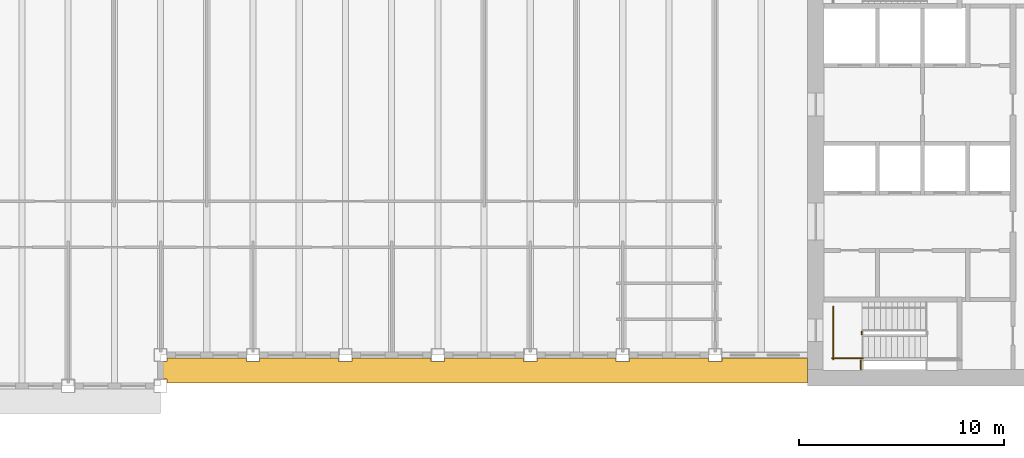
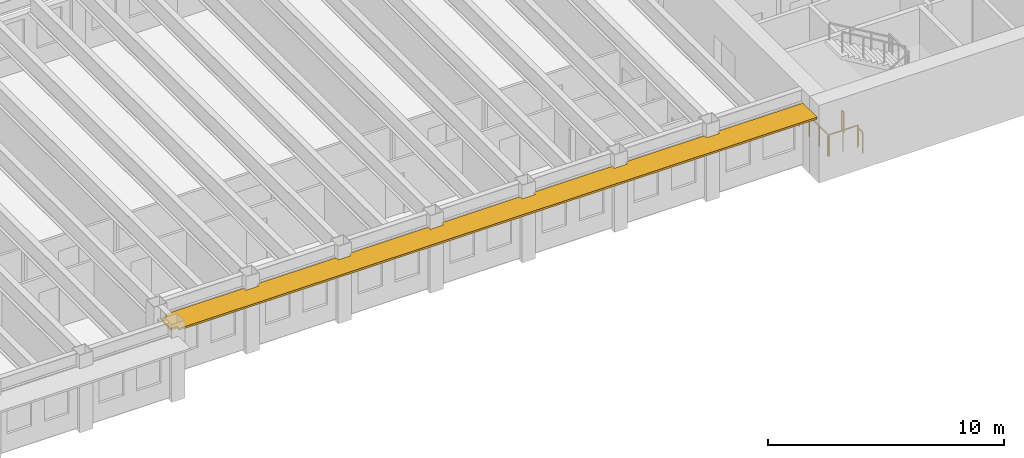
# One storey, part 9 of 12: 4 railings, 1 shading device.
"""IFC4 building model written with IfcOpenShell, lengths in metres."""

from ifc_helpers import new_model, si_unit, direction, frame, origin, origin_2d, place, context, subcontext, project, spatial, polyline, rectangle, outline, extrude, material, layer, layer_set, type_object, element, save


model = new_model("IFC4")

# Units and contexts
model_context = context("Model", 3, precision=1e-05, world=origin(), true_north=direction((0.0, 1.0)))
body_context = subcontext(model_context, "Body", "Model", "MODEL_VIEW")
ifc_project = project(units=[si_unit("LENGTHUNIT", "METRE"), si_unit("AREAUNIT", "SQUARE_METRE"), si_unit("VOLUMEUNIT", "CUBIC_METRE"), si_unit("PLANEANGLEUNIT", "RADIAN"), si_unit("MASSUNIT", "GRAM", prefix="KILO")], contexts=[model_context])

# Site, building, storey
site_placement = place(None, origin())
site = spatial("IfcSite", under=ifc_project, at=site_placement, CompositionType="ELEMENT")
building_placement = place(site_placement, origin())
building = spatial("IfcBuilding", under=site, at=building_placement, Name="Sennacour Bend Tower", CompositionType="ELEMENT")
storey_placement = place(building_placement, frame((0.0, 0.0, 269.0)))
storey = spatial("IfcBuildingStorey", under=building, at=storey_placement, Name="L62", CompositionType="ELEMENT", Elevation=269.0)

# Railings
ifc_material_1 = material(Name="Stainless steel", Category="steel")
railing_type = type_object("IfcRailingType", Name="RL-GUARD-1100", PredefinedType="GUARDRAIL", material=ifc_material_1)
railing_1_placement = place(storey_placement, frame((56.64990234375, 2.5, 0.0)))
element("IfcRailing", 1, at=railing_1_placement, inside=storey, type_object=railing_type, Name="L62 SA1 stair guard 5", PredefinedType="GUARDRAIL", context=body_context, shape_type="SweptSolid", body=[
    extrude(rectangle(XDim=0.048095703125, YDim=0.048095703125, at=origin_2d()), frame((0.0, 0.0, 1.076171875), z_axis=(0.0, 1.0, 0.0), x_axis=(-1.0, 0.0, 0.0)), (0.0, 0.0, 1.0), 0.14990234375),
    extrude(rectangle(XDim=0.0419921875, YDim=0.0419921875, at=origin_2d()), origin(), (0.0, 0.0, 1.0), 1.052001953125),
    extrude(rectangle(XDim=0.0419921875, YDim=0.0419921875, at=origin_2d()), frame((0.0, 0.14990234375, 0.0)), (0.0, 0.0, 1.0), 1.052001953125),
])
railing_2_placement = place(storey_placement, frame((55.199951171875, 1.35009765625, 0.0)))
element("IfcRailing", 2, at=railing_2_placement, inside=storey, type_object=railing_type, Name="L62 SA1 stair guard 6", PredefinedType="GUARDRAIL", context=body_context, shape_type="SweptSolid", body=[
    extrude(rectangle(XDim=0.048095703125, YDim=0.048095703125, at=origin_2d()), frame((0.0, 0.0, 1.076171875), z_axis=(1.0, 0.0, 0.0), x_axis=(0.0, 1.0, 0.0)), (0.0, 0.0, 1.0), 1.5),
    extrude(rectangle(XDim=0.0419921875, YDim=0.0419921875, at=origin_2d()), origin(), (0.0, 0.0, 1.0), 1.052001953125),
    extrude(rectangle(XDim=0.0419921875, YDim=0.0419921875, at=origin_2d()), frame((0.75, 0.0, 0.0)), (0.0, 0.0, 1.0), 1.052001953125),
    extrude(rectangle(XDim=0.0419921875, YDim=0.0419921875, at=origin_2d()), frame((1.5, 0.0, 0.0)), (0.0, 0.0, 1.0), 1.052001953125),
])
railing_3_placement = place(storey_placement, frame((55.25, 1.300048828125, 0.0)))
element("IfcRailing", 3, at=railing_3_placement, inside=storey, type_object=railing_type, Name="L62 SA1 stair guard 7", PredefinedType="GUARDRAIL", context=body_context, shape_type="SweptSolid", body=[
    extrude(rectangle(XDim=0.048095703125, YDim=0.048095703125, at=origin_2d()), frame((0.0, 0.0, 1.076171875), z_axis=(0.0, 1.0, 0.0), x_axis=(-1.0, 0.0, 0.0)), (0.0, 0.0, 1.0), 2.550048828125),
    extrude(rectangle(XDim=0.0419921875, YDim=0.0419921875, at=origin_2d()), origin(), (0.0, 0.0, 1.0), 1.052001953125),
    extrude(rectangle(XDim=0.0419921875, YDim=0.0419921875, at=origin_2d()), frame((0.0, 0.85009765625, 0.0)), (0.0, 0.0, 1.0), 1.052001953125),
    extrude(rectangle(XDim=0.0419921875, YDim=0.0419921875, at=origin_2d()), frame((0.0, 1.699951171875, 0.0)), (0.0, 0.0, 1.0), 1.052001953125),
    extrude(rectangle(XDim=0.0419921875, YDim=0.0419921875, at=origin_2d()), frame((0.0, 2.550048828125, 0.0)), (0.0, 0.0, 1.0), 1.052001953125),
])
railing_4_placement = place(storey_placement, frame((56.60009765625, 1.25, 0.0)))
element("IfcRailing", 4, at=railing_4_placement, inside=storey, type_object=railing_type, Name="L62 SA1 landing edge guard 149", PredefinedType="GUARDRAIL", context=body_context, shape_type="SweptSolid", body=[
    extrude(rectangle(XDim=0.048095703125, YDim=0.048095703125, at=origin_2d()), frame((0.0, 0.0, 1.076171875), z_axis=(0.0, -1.0, 0.0), x_axis=(1.0, 0.0, 0.0)), (0.0, 0.0, 1.0), 0.449951171875),
    extrude(rectangle(XDim=0.0419921875, YDim=0.0419921875, at=origin_2d()), origin(), (0.0, 0.0, 1.0), 1.052001953125),
    extrude(rectangle(XDim=0.0419921875, YDim=0.0419921875, at=origin_2d()), frame((0.0, -0.449951171875, 0.0)), (0.0, 0.0, 1.0), 1.052001953125),
])

# Shading device
ifc_material_2 = material(Name="Bronze anodised aluminium", Category="aluminium")
ifc_layer = layer(ifc_material_2, 0.10009765625, Name="Bronze anodised aluminium", Category="aluminium")
ifc_layer_set = layer_set([ifc_layer], Name="Bronze anodised aluminium")
shading_device_type = type_object("IfcShadingDeviceType", Name="SUNSHADE BAND STRAIGHT", PredefinedType="USERDEFINED", material=ifc_layer_set)
shading_device_placement = place(storey_placement, frame((0.0, 0.0, 3.06201171875)))
element("IfcShadingDevice", 5, at=shading_device_placement, inside=storey, type_object=shading_device_type, Name="Sunshade band L62 A outer face", ObjectType="SUNSHADE", PredefinedType="USERDEFINED", context=body_context, shape_type="SweptSolid", body=[
    extrude(outline(polyline([(26.675048828125, 1.35009765625), (26.675048828125, 1.175048828125), (27.324951171875, 1.175048828125), (27.324951171875, 1.35009765625), (31.175048828125, 1.35009765625), (31.175048828125, 1.175048828125), (31.824951171875, 1.175048828125), (31.824951171875, 1.35009765625), (35.675048828125, 1.35009765625), (35.675048828125, 1.175048828125), (36.324951171875, 1.175048828125), (36.324951171875, 1.35009765625), (40.175048828125, 1.35009765625), (40.175048828125, 1.175048828125), (40.824951171875, 1.175048828125), (40.824951171875, 1.35009765625), (44.675048828125, 1.35009765625), (44.675048828125, 1.175048828125), (45.324951171875, 1.175048828125), (45.324951171875, 1.35009765625), (49.175048828125, 1.35009765625), (49.175048828125, 1.175048828125), (49.824951171875, 1.175048828125), (49.824951171875, 1.35009765625), (54.0, 1.35009765625), (54.0, 0.14990234375), (22.824951171875, 0.14990234375), (22.824951171875, 0.324951171875), (22.5, 0.324951171875), (22.5, 1.175048828125), (22.824951171875, 1.175048828125), (22.824951171875, 1.35009765625), (26.675048828125, 1.35009765625)])), origin(), (0.0, 0.0, 1.0), 0.10009765625),
])

save(model, "model.ifc")
